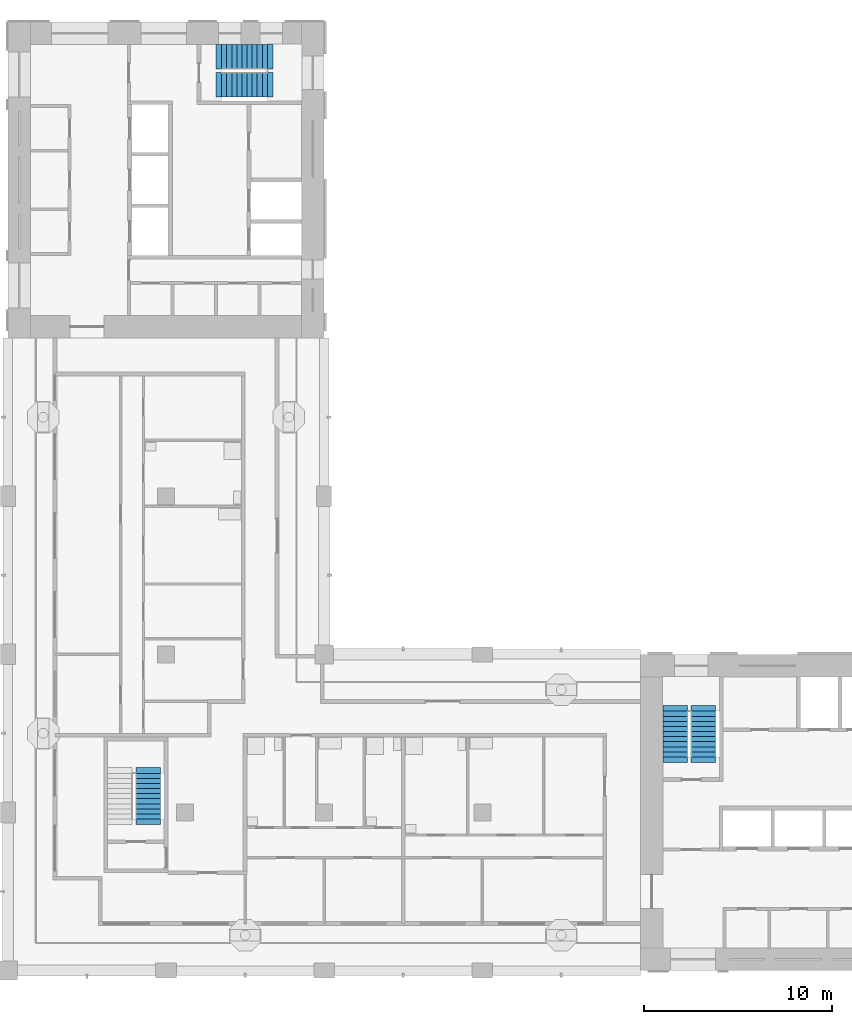
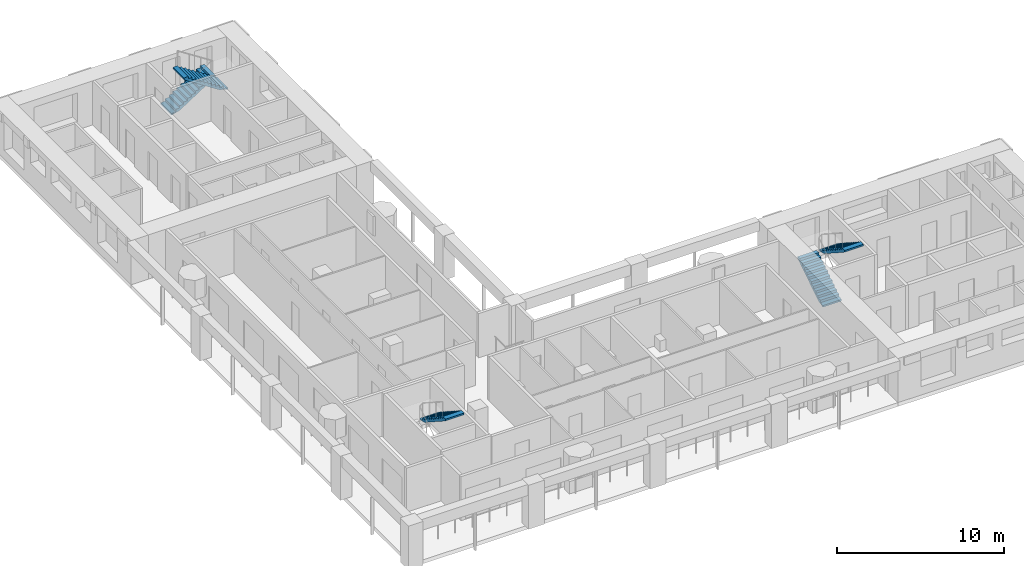
# One storey, part 7 of 12: 5 stair flights, 3 elements without a shape of their own.
"""IFC4 building model written with IfcOpenShell, lengths in metres."""

from ifc_helpers import new_model, si_unit, direction, frame, origin, place, context, subcontext, project, spatial, polyline, outline, extrude, material, type_object, element, aggregate, save


model = new_model("IFC4")

# Units and contexts
model_context = context("Model", 3, precision=1e-05, world=origin(), true_north=direction((0.0, 1.0)))
body_context = subcontext(model_context, "Body", "Model", "MODEL_VIEW")
ifc_project = project(units=[si_unit("LENGTHUNIT", "METRE"), si_unit("AREAUNIT", "SQUARE_METRE"), si_unit("VOLUMEUNIT", "CUBIC_METRE"), si_unit("PLANEANGLEUNIT", "RADIAN"), si_unit("MASSUNIT", "GRAM", prefix="KILO")], contexts=[model_context])

# Site, building, storey
site_placement = place(None, origin())
site = spatial("IfcSite", under=ifc_project, at=site_placement, CompositionType="ELEMENT")
building_placement = place(site_placement, origin())
building = spatial("IfcBuilding", under=site, at=building_placement, Name="Vermilion Gate Residences", CompositionType="ELEMENT")
storey_placement = place(building_placement, frame((0.0, 0.0, 242.199951171875)))
storey = spatial("IfcBuildingStorey", under=building, at=storey_placement, Name="L63", CompositionType="ELEMENT", Elevation=242.199951171875)

# Stair, stair flights
ifc_material_1 = material(Name="Concrete C50", Category="concrete")
stair_type = type_object("IfcStairType", Name="SPECIAL ESCAPE STAIR 1300", PredefinedType="HALF_TURN_STAIR", material=ifc_material_1)
stair_1_placement = place(storey_placement, origin())
stair_1 = element("IfcStair", 1, at=stair_1_placement, inside=storey, type_object=stair_type, Name="Special escape stair STA1-63", PredefinedType="HALF_TURN_STAIR")
ifc_material_2 = material(Name="Concrete C50", Category="concrete")
stair_flight_type = type_object("IfcStairFlightType", Name="STAIR FLIGHT 1300 RC C50", PredefinedType="STRAIGHT", material=ifc_material_2)
stair_flight_1_placement = place(storey_placement, frame((43.85009765625, 19.75, 0.0), z_axis=(0.0, 0.0, 1.0), x_axis=(0.0, 1.0, 0.0)))
stair_flight_1 = element("IfcStairFlight", 2, at=stair_flight_1_placement, type_object=stair_flight_type, Name="STA1-63 flight 1", NumberOfRisers=10, NumberOfTreads=9, PredefinedType="STRAIGHT", RiserHeight=0.175, TreadLength=0.27, context=body_context, shape_type="SweptSolid", body=[
    extrude(outline(polyline([(-0.300048828125, -0.14990234375), (-0.300048828125, -0.030029296875), (0.0, 0.0), (0.0, 0.175048828125), (0.27001953125, 0.175048828125), (0.27001953125, 0.35009765625), (0.5400390625, 0.35009765625), (0.5400390625, 0.52490234375), (0.81005859375, 0.52490234375), (0.81005859375, 0.699951171875), (1.080078125, 0.699951171875), (1.080078125, 0.875), (1.35009765625, 0.875), (1.35009765625, 1.050048828125), (1.6201171875, 1.050048828125), (1.6201171875, 1.22509765625), (1.889892578125, 1.22509765625), (1.889892578125, 1.39990234375), (2.159912109375, 1.39990234375), (2.159912109375, 1.574951171875), (2.429931640625, 1.574951171875), (2.429931640625, 1.75), (2.72998046875, 1.719970703125), (2.72998046875, 1.60009765625), (2.429931640625, 1.396484375), (0.275634765625, 0.0), (-0.300048828125, -0.14990234375)])), frame((0.0, 0.64990234375, 0.0), z_axis=(0.0, -1.0, 0.0), x_axis=(1.0, 0.0, 0.0)), (0.0, 0.0, 1.0), 1.300048828125),
])
stair_flight_2_placement = place(storey_placement, frame((45.35009765625, 22.179931640625, 1.75), z_axis=(0.0, 0.0, 1.0), x_axis=(0.0, -1.0, 0.0)))
stair_flight_2 = element("IfcStairFlight", 3, at=stair_flight_2_placement, type_object=stair_flight_type, Name="STA1-63 flight 2", NumberOfRisers=10, NumberOfTreads=9, PredefinedType="STRAIGHT", RiserHeight=0.175, TreadLength=0.27, context=body_context, shape_type="SweptSolid", body=[
    extrude(outline(polyline([(-0.300048828125, -0.14990234375), (-0.300048828125, -0.030029296875), (0.0, 0.0), (0.0, 0.175048828125), (0.27001953125, 0.175048828125), (0.27001953125, 0.35009765625), (0.5400390625, 0.35009765625), (0.5400390625, 0.52490234375), (0.81005859375, 0.52490234375), (0.81005859375, 0.699951171875), (1.080078125, 0.699951171875), (1.080078125, 0.875), (1.35009765625, 0.875), (1.35009765625, 1.050048828125), (1.6201171875, 1.050048828125), (1.6201171875, 1.22509765625), (1.889892578125, 1.22509765625), (1.889892578125, 1.39990234375), (2.159912109375, 1.39990234375), (2.159912109375, 1.574951171875), (2.429931640625, 1.574951171875), (2.429931640625, 1.75), (2.72998046875, 1.719970703125), (2.72998046875, 1.60009765625), (2.429931640625, 1.396484375), (0.275634765625, 0.0), (-0.300048828125, -0.14990234375)])), frame((0.0, 0.64990234375, 0.0), z_axis=(0.0, -1.0, 0.0), x_axis=(1.0, 0.0, 0.0)), (0.0, 0.0, 1.0), 1.300048828125),
])
aggregate(stair_1, [stair_flight_1, stair_flight_2])

stair_2_placement = place(storey_placement, origin())
stair_2 = element("IfcStair", 4, at=stair_2_placement, inside=storey, type_object=stair_type, Name="Special escape stair STB1-63", PredefinedType="HALF_TURN_STAIR")
stair_flight_3_placement = place(storey_placement, frame((19.75, 56.949951171875, 0.0), z_axis=(0.0, 0.0, 1.0), x_axis=(1.0, 0.0, 0.0)))
stair_flight_3 = element("IfcStairFlight", 5, at=stair_flight_3_placement, type_object=stair_flight_type, Name="STB1-63 flight 1", NumberOfRisers=10, NumberOfTreads=9, PredefinedType="STRAIGHT", RiserHeight=0.175, TreadLength=0.27, context=body_context, shape_type="SweptSolid", body=[
    extrude(outline(polyline([(-0.300048828125, -0.14990234375), (-0.300048828125, -0.030029296875), (0.0, 0.0), (0.0, 0.175048828125), (0.27001953125, 0.175048828125), (0.27001953125, 0.35009765625), (0.5400390625, 0.35009765625), (0.5400390625, 0.52490234375), (0.81005859375, 0.52490234375), (0.81005859375, 0.699951171875), (1.080078125, 0.699951171875), (1.080078125, 0.875), (1.35009765625, 0.875), (1.35009765625, 1.050048828125), (1.6201171875, 1.050048828125), (1.6201171875, 1.22509765625), (1.889892578125, 1.22509765625), (1.889892578125, 1.39990234375), (2.159912109375, 1.39990234375), (2.159912109375, 1.574951171875), (2.429931640625, 1.574951171875), (2.429931640625, 1.75), (2.72998046875, 1.719970703125), (2.72998046875, 1.60009765625), (2.429931640625, 1.396484375), (0.275634765625, 0.0), (-0.300048828125, -0.14990234375)])), frame((0.0, 0.64990234375, 0.0), z_axis=(0.0, -1.0, 0.0), x_axis=(1.0, 0.0, 0.0)), (0.0, 0.0, 1.0), 1.300048828125),
])
stair_flight_4_placement = place(storey_placement, frame((22.179931640625, 55.449951171875, 1.75), z_axis=(0.0, 0.0, 1.0), x_axis=(-1.0, 0.0, 0.0)))
stair_flight_4 = element("IfcStairFlight", 6, at=stair_flight_4_placement, type_object=stair_flight_type, Name="STB1-63 flight 2", NumberOfRisers=10, NumberOfTreads=9, PredefinedType="STRAIGHT", RiserHeight=0.175, TreadLength=0.27, context=body_context, shape_type="SweptSolid", body=[
    extrude(outline(polyline([(-0.300048828125, -0.14990234375), (-0.300048828125, -0.030029296875), (0.0, 0.0), (0.0, 0.175048828125), (0.27001953125, 0.175048828125), (0.27001953125, 0.35009765625), (0.5400390625, 0.35009765625), (0.5400390625, 0.52490234375), (0.81005859375, 0.52490234375), (0.81005859375, 0.699951171875), (1.080078125, 0.699951171875), (1.080078125, 0.875), (1.35009765625, 0.875), (1.35009765625, 1.050048828125), (1.6201171875, 1.050048828125), (1.6201171875, 1.22509765625), (1.889892578125, 1.22509765625), (1.889892578125, 1.39990234375), (2.159912109375, 1.39990234375), (2.159912109375, 1.574951171875), (2.429931640625, 1.574951171875), (2.429931640625, 1.75), (2.72998046875, 1.719970703125), (2.72998046875, 1.60009765625), (2.429931640625, 1.396484375), (0.275634765625, 0.0), (-0.300048828125, -0.14990234375)])), frame((0.0, 0.64990234375, 0.0), z_axis=(0.0, -1.0, 0.0), x_axis=(1.0, 0.0, 0.0)), (0.0, 0.0, 1.0), 1.300048828125),
])
aggregate(stair_2, [stair_flight_3, stair_flight_4])

# Stair, stair flight
stair_3_placement = place(storey_placement, origin())
stair_3 = element("IfcStair", 7, at=stair_3_placement, inside=storey, type_object=stair_type, Name="Special escape stair STC1-63", PredefinedType="HALF_TURN_STAIR")
stair_flight_5_placement = place(storey_placement, frame((15.85009765625, 18.8798828125, 1.75), z_axis=(0.0, 0.0, 1.0), x_axis=(0.0, -1.0, 0.0)))
stair_flight_5 = element("IfcStairFlight", 8, at=stair_flight_5_placement, type_object=stair_flight_type, Name="STC1-63 flight 2", NumberOfRisers=10, NumberOfTreads=9, PredefinedType="STRAIGHT", RiserHeight=0.175, TreadLength=0.27, context=body_context, shape_type="SweptSolid", body=[
    extrude(outline(polyline([(-0.300048828125, -0.14990234375), (-0.300048828125, -0.030029296875), (0.0, 0.0), (0.0, 0.175048828125), (0.27001953125, 0.175048828125), (0.27001953125, 0.35009765625), (0.5400390625, 0.35009765625), (0.5400390625, 0.52490234375), (0.81005859375, 0.52490234375), (0.81005859375, 0.699951171875), (1.080078125, 0.699951171875), (1.080078125, 0.875), (1.35009765625, 0.875), (1.35009765625, 1.050048828125), (1.6201171875, 1.050048828125), (1.6201171875, 1.22509765625), (1.889892578125, 1.22509765625), (1.889892578125, 1.39990234375), (2.159912109375, 1.39990234375), (2.159912109375, 1.574951171875), (2.429931640625, 1.574951171875), (2.429931640625, 1.75), (2.72998046875, 1.719970703125), (2.72998046875, 1.60009765625), (2.429931640625, 1.396484375), (0.275634765625, 0.0), (-0.300048828125, -0.14990234375)])), frame((0.0, 0.64990234375, 0.0), z_axis=(0.0, -1.0, 0.0), x_axis=(1.0, 0.0, 0.0)), (0.0, 0.0, 1.0), 1.300048828125),
])
aggregate(stair_3, [stair_flight_5])

save(model, "model.ifc")
